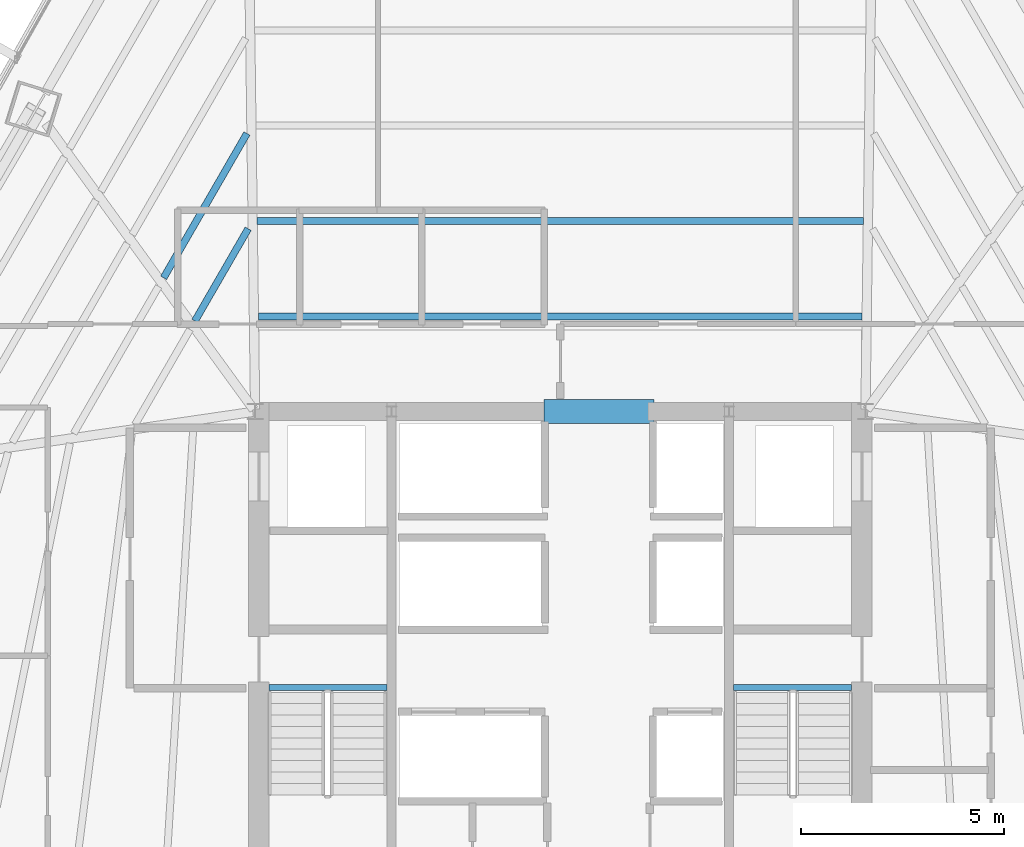
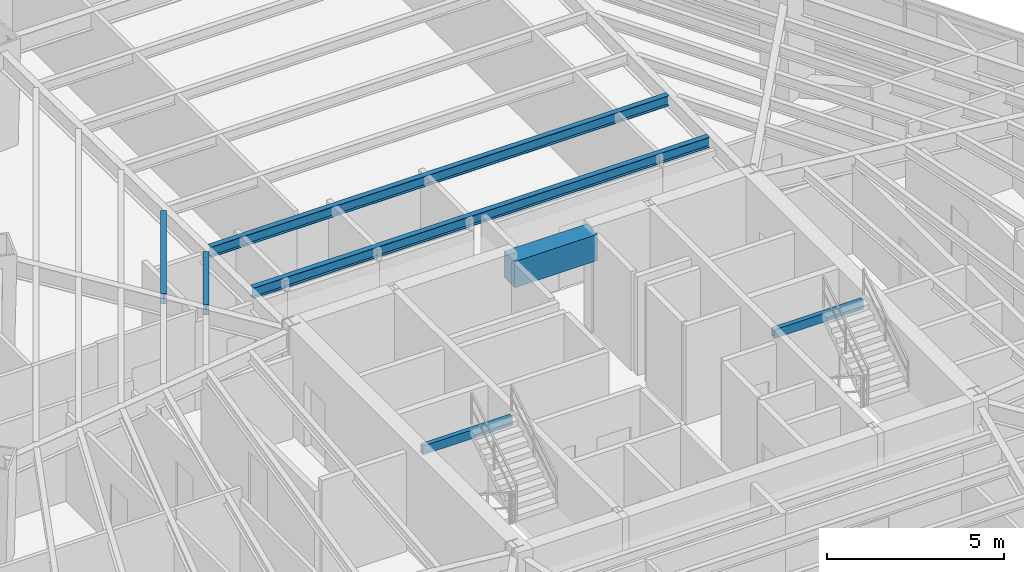
# One storey, part 14 of 35: 7 beams.
"""IFC4 building model written with IfcOpenShell, lengths in metres."""

from ifc_helpers import new_model, si_unit, direction, frame, origin, origin_2d, place, context, subcontext, project, spatial, rectangle, hollow_rectangle, i_section, extrude, source, transform, mapped, material, material_profile, profile_set, type_object, type_shapes, element, save


model = new_model("IFC4")

# Units and contexts
model_context = context("Model", 3, precision=1e-05, world=origin(), true_north=direction((0.0, 1.0)))
body_context = subcontext(model_context, "Body", "Model", "MODEL_VIEW")
ifc_project = project(units=[si_unit("LENGTHUNIT", "METRE"), si_unit("AREAUNIT", "SQUARE_METRE"), si_unit("VOLUMEUNIT", "CUBIC_METRE"), si_unit("PLANEANGLEUNIT", "RADIAN"), si_unit("MASSUNIT", "GRAM", prefix="KILO")], contexts=[model_context])

# Site, building, storey
site_placement = place(None, origin())
site = spatial("IfcSite", under=ifc_project, at=site_placement, CompositionType="ELEMENT")
building_placement = place(site_placement, origin())
building = spatial("IfcBuilding", under=site, at=building_placement, Name="Caelisora Broadcast Tower", CompositionType="ELEMENT")
storey_placement = place(building_placement, frame((0.0, 0.0, 90.800048828125)))
storey = spatial("IfcBuildingStorey", under=building, at=storey_placement, Name="L23", CompositionType="ELEMENT", Elevation=90.800048828125)

# Beams
ifc_material_1 = material(Name="Steel Grade 350 (AS/NZS 1163 C350L0)", Category="steel")
ifc_material_profile_1 = material_profile(ifc_material_1, hollow_rectangle(XDim=0.14990234375, YDim=0.300048828125, WallThickness=0.010009765625, at=origin_2d()), Name="Steel Grade 350 (AS/NZS 1163 C350L0)")
ifc_profile_set_1 = profile_set([ifc_material_profile_1], Name="Steel Grade 350 (AS/NZS 1163 C350L0)")
beam_type_1 = type_object("IfcBeamType", Name="SB05", PredefinedType="JOIST", material=ifc_profile_set_1)
shared_shape_1 = source(origin(), body_context, "Body", "SweptSolid", [
    extrude(hollow_rectangle(XDim=0.14990234375, YDim=0.300048828125, WallThickness=0.010009765625, at=origin_2d()), origin(), (0.0, 0.0, 1.0), 2.89990234375),
])
type_shapes(beam_type_1, [shared_shape_1])
for number, where, z_axis, x_axis, name in (
    (1, (30.840087890625, 23.219970703125, 3.25), (1.0, 0.0, 0.0), (0.0, 1.0, 0.0), "L23 beam SB05"),
    (2, (42.260009765625, 23.219970703125, 3.25), (1.0, 0.0, 0.0), (0.0, 1.0, 0.0), "L23 beam SB05"),
):
    element("IfcBeam", number, at=place(storey_placement, frame(where, z_axis=z_axis, x_axis=x_axis)), inside=storey, type_object=beam_type_1, Name=name, PredefinedType="JOIST", context=body_context, shape_type="MappedRepresentation", body=[
        mapped(shared_shape_1, transform((0.0, 0.0, 0.0), scale=1.0)),
    ])
ifc_material_2 = material(Name="Concrete 50 MPa (AS 3600 S50)", Category="concrete")
ifc_material_profile_2 = material_profile(ifc_material_2, rectangle(XDim=0.60009765625, YDim=0.89990234375, at=origin_2d()), Name="Concrete 50 MPa (AS 3600 S50)")
ifc_profile_set_2 = profile_set([ifc_material_profile_2], Name="Concrete 50 MPa (AS 3600 S50)")
beam_type_2 = type_object("IfcBeamType", Name="CB02", PredefinedType="LINTEL", material=ifc_profile_set_2)
shared_shape_2 = source(origin(), body_context, "Body", "SweptSolid", [
    extrude(rectangle(XDim=0.60009765625, YDim=0.89990234375, at=origin_2d()), origin(), (0.0, 0.0, 1.0), 2.699951171875),
])
type_shapes(beam_type_2, [shared_shape_2])
beam_1_placement = place(storey_placement, frame((37.60009765625, 30.0, 2.949951171875), z_axis=(1.0, 0.0, 0.0), x_axis=(0.0, 1.0, 0.0)))
element("IfcBeam", 3, at=beam_1_placement, inside=storey, type_object=beam_type_2, Name="L23 beam CB02", PredefinedType="LINTEL", context=body_context, shape_type="MappedRepresentation", body=[
    mapped(shared_shape_2, transform((0.0, 0.0, 0.0), scale=1.0)),
])
ifc_material_3 = material(Name="Steel Grade 350 (AS/NZS 3679.1)", Category="steel")
ifc_material_profile_3 = material_profile(ifc_material_3, i_section(OverallWidth=0.172119140625, OverallDepth=0.358642578125, WebThickness=0.008056640625, FlangeThickness=0.012939453125, at=origin_2d()), Name="Steel Grade 350 (AS/NZS 3679.1)")
ifc_profile_set_3 = profile_set([ifc_material_profile_3], Name="Steel Grade 350 (AS/NZS 3679.1)")
beam_type_3 = type_object("IfcBeamType", Name="SB02", PredefinedType="JOIST", material=ifc_profile_set_3)
shared_shape_3 = source(origin(), body_context, "Body", "SweptSolid", [
    extrude(i_section(OverallWidth=0.172119140625, OverallDepth=0.358642578125, WebThickness=0.008056640625, FlangeThickness=0.012939453125, at=origin_2d()), origin(), (0.0, 0.0, 1.0), 14.83935546875),
])
beam_2_placement = place(storey_placement, frame((45.419677734375, 32.34130859375, 3.220703125), z_axis=(-1.0, 0.0, 0.0), x_axis=(0.0, -1.0, 0.0)))
element("IfcBeam", 4, at=beam_2_placement, inside=storey, type_object=beam_type_3, Name="L23 beam SB02", PredefinedType="JOIST", context=body_context, shape_type="MappedRepresentation", body=[
    mapped(shared_shape_3, transform((0.0, 0.0, 0.0), scale=1.0)),
])
shared_shape_4 = source(origin(), body_context, "Body", "SweptSolid", [
    extrude(i_section(OverallWidth=0.172119140625, OverallDepth=0.358642578125, WebThickness=0.008056640625, FlangeThickness=0.012939453125, at=origin_2d()), origin(), (0.0, 0.0, 1.0), 14.900390625),
])
beam_3_placement = place(storey_placement, frame((45.4501953125, 34.682861328125, 3.220703125), z_axis=(-1.0, 0.0, 0.0), x_axis=(0.0, -1.0, 0.0)))
element("IfcBeam", 5, at=beam_3_placement, inside=storey, type_object=beam_type_3, Name="L23 beam SB02", PredefinedType="JOIST", context=body_context, shape_type="MappedRepresentation", body=[
    mapped(shared_shape_4, transform((0.0, 0.0, 0.0), scale=1.0)),
])
shared_shape_5 = source(origin(), body_context, "Body", "SweptSolid", [
    extrude(i_section(OverallWidth=0.172119140625, OverallDepth=0.358642578125, WebThickness=0.008056640625, FlangeThickness=0.012939453125, at=origin_2d()), origin(), (0.0, 0.0, 1.0), 2.61669921875),
])
beam_4_placement = place(storey_placement, frame((30.32861328125, 34.4921875, 3.220703125), z_axis=(-0.500002435262, -0.86602399778, 0.0), x_axis=(0.86602399778, -0.500002435262, 0.0)))
element("IfcBeam", 6, at=beam_4_placement, inside=storey, type_object=beam_type_3, Name="L23 beam SB02", PredefinedType="JOIST", context=body_context, shape_type="MappedRepresentation", body=[
    mapped(shared_shape_5, transform((0.0, 0.0, 0.0), scale=1.0)),
])
shared_shape_6 = source(origin(), body_context, "Body", "SweptSolid", [
    extrude(i_section(OverallWidth=0.172119140625, OverallDepth=0.358642578125, WebThickness=0.008056640625, FlangeThickness=0.012939453125, at=origin_2d()), origin(), (0.0, 0.0, 1.0), 4.095947265625),
])
type_shapes(beam_type_3, [shared_shape_3, shared_shape_4, shared_shape_5, shared_shape_6])
beam_5_placement = place(storey_placement, frame((30.298095703125, 36.83349609375, 3.220703125), z_axis=(-0.500030306347, -0.8660079057, 0.0), x_axis=(0.8660079057, -0.500030306347, 0.0)))
element("IfcBeam", 7, at=beam_5_placement, inside=storey, type_object=beam_type_3, Name="L23 beam SB02", PredefinedType="JOIST", context=body_context, shape_type="MappedRepresentation", body=[
    mapped(shared_shape_6, transform((0.0, 0.0, 0.0), scale=1.0)),
])

save(model, "model.ifc")
